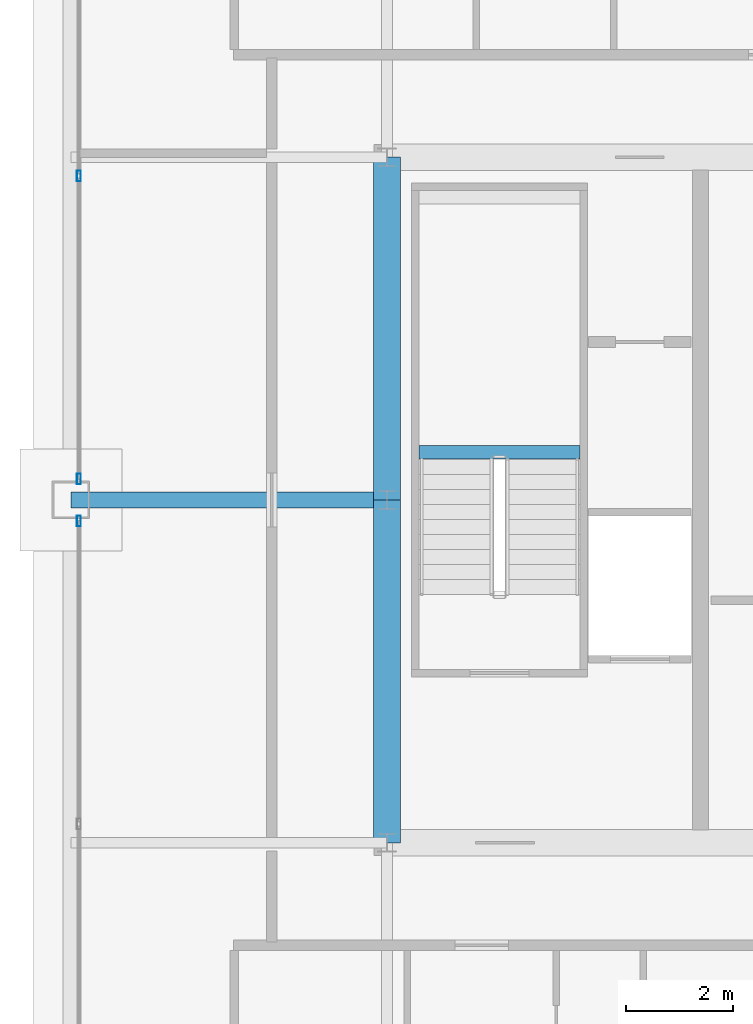
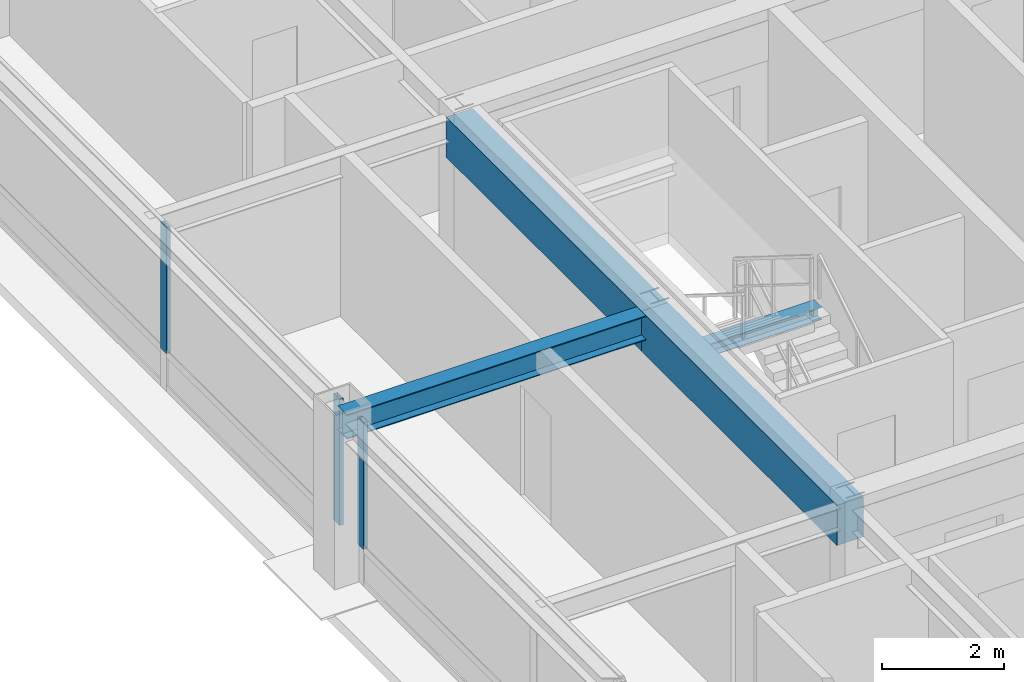
# One storey, part 11 of 35: 4 beams, 3 members, 2 elements without a shape of their own.
"""IFC4 building model written with IfcOpenShell, lengths in metres."""

from ifc_helpers import new_model, si_unit, direction, frame, origin, origin_2d, place, context, subcontext, project, spatial, rectangle, hollow_rectangle, i_section, extrude, source, transform, mapped, material, layer, layer_set, material_profile, profile_set, type_object, element, aggregate, save


model = new_model("IFC4")

# Units and contexts
model_context = context("Model", 3, precision=1e-05, world=origin(), true_north=direction((0.0, 1.0)))
body_context = subcontext(model_context, "Body", "Model", "MODEL_VIEW")
ifc_project = project(units=[si_unit("LENGTHUNIT", "METRE"), si_unit("AREAUNIT", "SQUARE_METRE"), si_unit("VOLUMEUNIT", "CUBIC_METRE"), si_unit("PLANEANGLEUNIT", "RADIAN"), si_unit("MASSUNIT", "GRAM", prefix="KILO"), si_unit("THERMODYNAMICTEMPERATUREUNIT", "KELVIN"), si_unit("POWERUNIT", "WATT")], contexts=[model_context])

# Site, building, storey
site_placement = place(None, origin())
site = spatial("IfcSite", under=ifc_project, at=site_placement, CompositionType="ELEMENT")
building_placement = place(site_placement, origin())
building = spatial("IfcBuilding", under=site, at=building_placement, Name="Yuzanri Waterfront Tower", CompositionType="ELEMENT")
storey_placement = place(building_placement, frame((0.0, 0.0, 285.60009765625)))
storey = spatial("IfcBuildingStorey", under=building, at=storey_placement, Name="L76", CompositionType="ELEMENT", Elevation=285.60009765625)

# Beams
ifc_material_1 = material(Name="Concrete C50", Category="concrete")
ifc_material_profile_1 = material_profile(ifc_material_1, rectangle(XDim=0.5, YDim=0.800048828125, at=origin_2d()), Name="RC 500x800")
ifc_profile_set_1 = profile_set([ifc_material_profile_1], Name="Concrete C50")
beam_type_1 = type_object("IfcBeamType", Name="Core Coupling Lintel Concrete C50 500x800", PredefinedType="LINTEL", material=ifc_profile_set_1)
shared_shape_1 = source(origin(), body_context, "Body", "SweptSolid", [
    extrude(rectangle(XDim=0.5, YDim=0.800048828125, at=origin_2d()), origin(), (0.0, 0.0, 1.0), 6.400146484375),
])
beam_1_placement = place(storey_placement, frame((23.800048828125, 19.39990234375, 2.8798828125), z_axis=(0.0, 1.0, 0.0), x_axis=(-1.0, 0.0, 0.0)))
element("IfcBeam", 1, at=beam_1_placement, inside=storey, type_object=beam_type_1, Name="L76 Core Tie Beam CW1", PredefinedType="LINTEL", context=body_context, shape_type="MappedRepresentation", body=[
    mapped(shared_shape_1, transform((0.0, 0.0, 0.0), scale=1.0)),
])
shared_shape_2 = source(origin(), body_context, "Body", "SweptSolid", [
    extrude(rectangle(XDim=0.5, YDim=0.800048828125, at=origin_2d()), origin(), (0.0, 0.0, 1.0), 6.39990234375),
])
beam_2_placement = place(storey_placement, frame((23.800048828125, 25.800048828125, 2.8798828125), z_axis=(0.0, 1.0, 0.0), x_axis=(-1.0, 0.0, 0.0)))
element("IfcBeam", 2, at=beam_2_placement, inside=storey, type_object=beam_type_1, Name="L76 Core Tie Beam CW2", PredefinedType="LINTEL", context=body_context, shape_type="MappedRepresentation", body=[
    mapped(shared_shape_2, transform((0.0, 0.0, 0.0), scale=1.0)),
])
ifc_material_2 = material(Name="Steel Q355B", Category="steel")
ifc_material_profile_2 = material_profile(ifc_material_2, i_section(OverallWidth=0.300048828125, OverallDepth=0.488037109375, WebThickness=0.010986328125, FlangeThickness=0.01806640625, at=origin_2d()), Name="HM 488x300x11x18")
ifc_profile_set_2 = profile_set([ifc_material_profile_2], Name="Steel Q355B")
beam_type_2 = type_object("IfcBeamType", Name="Primary Floor Girder Q355B HM 488x300", PredefinedType="BEAM", material=ifc_profile_set_2)
shared_shape_3 = source(origin(), body_context, "Body", "SweptSolid", [
    extrude(i_section(OverallWidth=0.300048828125, OverallDepth=0.488037109375, WebThickness=0.010986328125, FlangeThickness=0.01806640625, at=origin_2d()), origin(), (0.0, 0.0, 1.0), 5.900146484375),
])
beam_3_placement = place(storey_placement, frame((23.800048828125, 25.800048828125, 3.035888671875), z_axis=(-1.0, 0.0, 0.0), x_axis=(0.0, -1.0, 0.0)))
element("IfcBeam", 3, at=beam_3_placement, inside=storey, type_object=beam_type_2, Name="L76 West Grid Girder", PredefinedType="BEAM", context=body_context, shape_type="MappedRepresentation", body=[
    mapped(shared_shape_3, transform((0.0, 0.0, 0.0), scale=1.0)),
])

# Curtain wall, member
ifc_material_3 = material(Name="Anodized Architectural Bronze", Category="metal")
ifc_layer = layer(ifc_material_3, 0.159912109375)
ifc_layer_set = layer_set([ifc_layer], Name="Anodized Architectural Bronze")
curtain_wall_type = type_object("IfcCurtainWallType", Name="Anodized Bronze High-Rise Penthouse High-Wind Unitized Curtain Wall 6900", PredefinedType="NOTDEFINED", material=ifc_layer_set)
curtain_wall_1_placement = place(storey_placement, origin())
curtain_wall_1 = element("IfcCurtainWall", 4, at=curtain_wall_1_placement, inside=storey, type_object=curtain_wall_type, Name="L76 Curtain Wall CW-L76-WL", PredefinedType="NOTDEFINED")
ifc_material_4 = material(Name="Anodized Architectural Bronze", Category="metal")
ifc_material_profile_3 = material_profile(ifc_material_4, hollow_rectangle(XDim=0.074951171875, YDim=0.199951171875, WallThickness=0.00390625, at=origin_2d()), Name="CWM 75x200")
ifc_profile_set_3 = profile_set([ifc_material_profile_3], Name="Anodized Architectural Bronze")
member_type = type_object("IfcMemberType", Name="Anodized Bronze Primary Curtain-Wall Mullion 75x200", PredefinedType="MULLION", material=ifc_profile_set_3)
shared_shape_4 = source(origin(), body_context, "Body", "SweptSolid", [
    extrude(hollow_rectangle(XDim=0.074951171875, YDim=0.199951171875, WallThickness=0.00390625, at=origin_2d()), origin(), (0.0, 0.0, 1.0), 2.52392578125),
])
member_1_placement = place(storey_placement, frame((18.050048828125, 25.409912109375, 0.755859375), z_axis=(0.0, 0.0, 1.0), x_axis=(1.0, 0.0, 0.0)))
member_1 = element("IfcMember", 5, at=member_1_placement, type_object=member_type, Name="CW-L76-WL Upper Mullion 02", PredefinedType="MULLION", context=body_context, shape_type="MappedRepresentation", body=[
    mapped(shared_shape_4, transform((0.0, 0.0, 0.0), scale=1.0)),
])
aggregate(curtain_wall_1, [member_1])

# Curtain wall, members
curtain_wall_2_placement = place(storey_placement, origin())
curtain_wall_2 = element("IfcCurtainWall", 6, at=curtain_wall_2_placement, inside=storey, type_object=curtain_wall_type, Name="L76 Curtain Wall CW-L76-WR", PredefinedType="NOTDEFINED")
member_2_placement = place(storey_placement, frame((18.050048828125, 26.18994140625, 0.755859375), z_axis=(0.0, 0.0, 1.0), x_axis=(1.0, 0.0, 0.0)))
member_2 = element("IfcMember", 7, at=member_2_placement, type_object=member_type, Name="CW-L76-WR Upper Mullion 00", PredefinedType="MULLION", context=body_context, shape_type="MappedRepresentation", body=[
    mapped(shared_shape_4, transform((0.0, 0.0, 0.0), scale=1.0)),
])
member_3_placement = place(storey_placement, frame((18.050048828125, 31.85009765625, 0.755859375), z_axis=(0.0, 0.0, 1.0), x_axis=(1.0, 0.0, 0.0)))
member_3 = element("IfcMember", 8, at=member_3_placement, type_object=member_type, Name="CW-L76-WR Upper Mullion 01", PredefinedType="MULLION", context=body_context, shape_type="MappedRepresentation", body=[
    mapped(shared_shape_4, transform((0.0, 0.0, 0.0), scale=1.0)),
])
aggregate(curtain_wall_2, [member_2, member_3])

# Beam
ifc_material_5 = material(Name="Steel Q355B", Category="steel")
ifc_material_profile_4 = material_profile(ifc_material_5, i_section(OverallWidth=0.25, OverallDepth=0.25, WebThickness=0.009033203125, FlangeThickness=0.013916015625, at=origin_2d()), Name="HW 250x250x9x14")
ifc_profile_set_4 = profile_set([ifc_material_profile_4], Name="Steel Q355B")
beam_type_3 = type_object("IfcBeamType", Name="Stair Landing Support Beam Q355B HW 250x250", PredefinedType="BEAM", material=ifc_profile_set_4)
shared_shape_5 = source(origin(), body_context, "Body", "SweptSolid", [
    extrude(i_section(OverallWidth=0.25, OverallDepth=0.25, WebThickness=0.009033203125, FlangeThickness=0.013916015625, at=origin_2d()), origin(), (0.0, 0.0, 1.0), 3.0),
])
beam_4_placement = place(storey_placement, frame((24.39990234375, 26.68994140625, 1.4248046875), z_axis=(1.0, 0.0, 0.0), x_axis=(0.0, 1.0, 0.0)))
element("IfcBeam", 9, at=beam_4_placement, inside=storey, type_object=beam_type_3, Name="L76 Stair Landing Support Beam ST-01-L76-L1-1", PredefinedType="BEAM", context=body_context, shape_type="MappedRepresentation", body=[
    mapped(shared_shape_5, transform((0.0, 0.0, 0.0), scale=1.0)),
])

save(model, "model.ifc")
